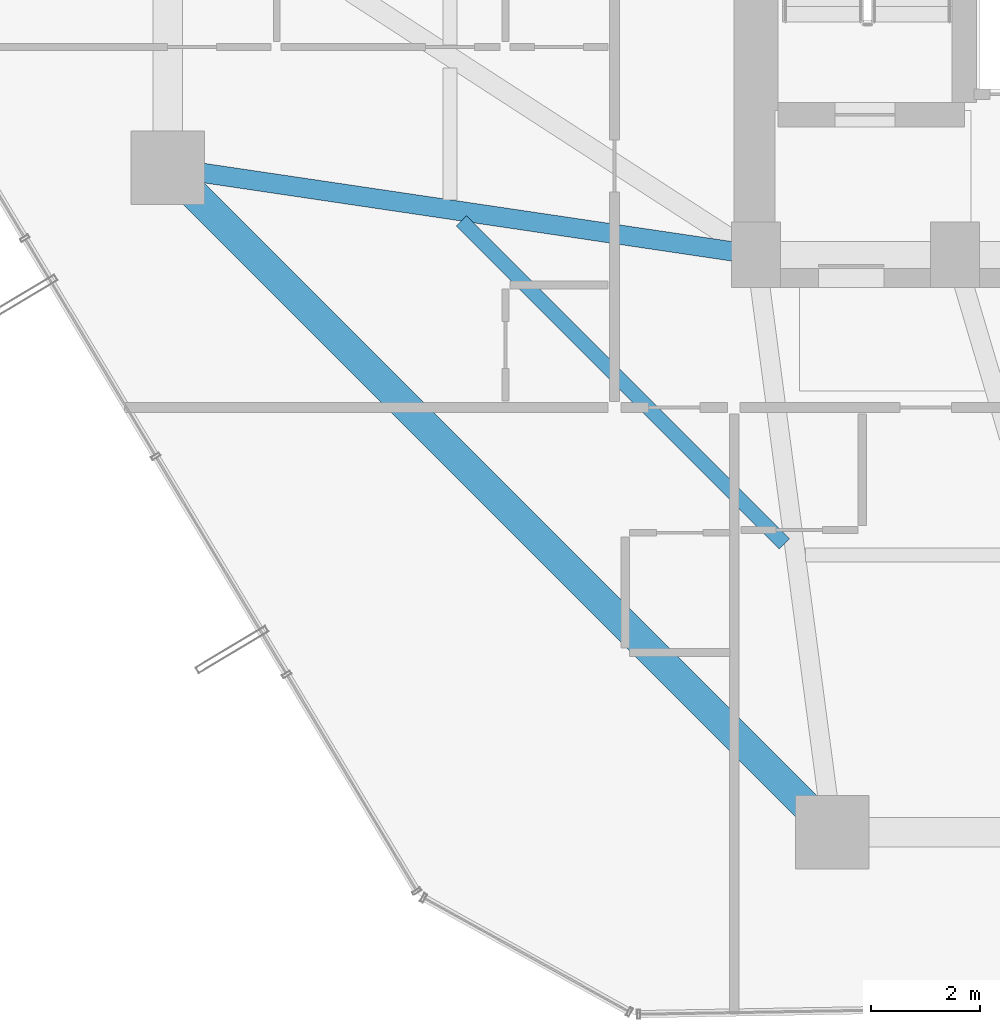
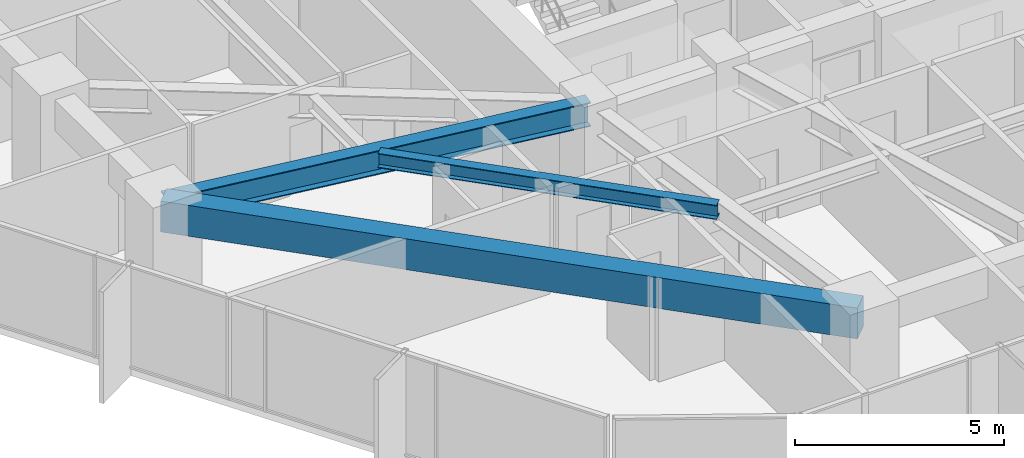
# One storey, part 5 of 39: 3 beams.
"""IFC4 building model written with IfcOpenShell, lengths in metres."""

from ifc_helpers import new_model, si_unit, direction, frame, origin, origin_2d, place, context, subcontext, project, spatial, rectangle, i_section, extrude, material, material_profile, profile_set, type_object, element, save


model = new_model("IFC4")

# Units and contexts
model_context = context("Model", 3, precision=1e-05, world=origin(), true_north=direction((0.0, 1.0)))
body_context = subcontext(model_context, "Body", "Model", "MODEL_VIEW")
ifc_project = project(units=[si_unit("LENGTHUNIT", "METRE"), si_unit("AREAUNIT", "SQUARE_METRE"), si_unit("VOLUMEUNIT", "CUBIC_METRE"), si_unit("PLANEANGLEUNIT", "RADIAN"), si_unit("MASSUNIT", "GRAM", prefix="KILO")], contexts=[model_context])

# Site, building, storey
site_placement = place(None, origin())
site = spatial("IfcSite", under=ifc_project, at=site_placement, CompositionType="ELEMENT")
building_placement = place(site_placement, origin())
building = spatial("IfcBuilding", under=site, at=building_placement, Name="Veraguas Prism Commons", CompositionType="ELEMENT")
storey_placement = place(building_placement, frame((0.0, 0.0, 27.300048828125)))
storey = spatial("IfcBuildingStorey", under=building, at=storey_placement, Name="L06", CompositionType="ELEMENT", Elevation=27.300048828125)

# Beams
ifc_material_1 = material(Name="Steel ASTM A992 Grade 50", Category="steel")
ifc_material_profile_1 = material_profile(ifc_material_1, i_section(OverallWidth=0.260986328125, OverallDepth=0.419921875, WebThickness=0.01171875, FlangeThickness=0.019287109375, at=origin_2d()), Name="W410X114")
ifc_profile_set_1 = profile_set([ifc_material_profile_1], Name="Steel ASTM A992 Grade 50")
beam_type_1 = type_object("IfcBeamType", Name="Lower Floor Joist W410x114", PredefinedType="JOIST", material=ifc_profile_set_1)
beam_1_placement = place(storey_placement, frame((11.79296875, 17.623046875, 2.7900390625), z_axis=(0.707092226423, -0.70712133565, 0.0), x_axis=(0.70712133565, 0.707092226423, 0.0)))
element("IfcBeam", 1, at=beam_1_placement, inside=storey, type_object=beam_type_1, Name="Composite Floor Joist L06-JS09", PredefinedType="JOIST", context=body_context, shape_type="SweptSolid", body=[
    extrude(i_section(OverallWidth=0.260986328125, OverallDepth=0.419921875, WebThickness=0.01171875, FlangeThickness=0.019287109375, at=origin_2d()), origin(), (0.0, 0.0, 1.0), 8.386962890625),
])
ifc_material_2 = material(Name="Concrete C50/60", Category="concrete")
ifc_material_profile_2 = material_profile(ifc_material_2, rectangle(XDim=0.550048828125, YDim=0.89990234375, at=origin_2d()), Name="RC550X900")
ifc_profile_set_2 = profile_set([ifc_material_profile_2], Name="Concrete C50/60")
beam_type_2 = type_object("IfcBeamType", Name="Perimeter Spandrel Lower RC 550x900", PredefinedType="SPANDREL", material=ifc_profile_set_2)
beam_2_placement = place(storey_placement, frame((6.39990234375, 18.60009765625, 2.550048828125), z_axis=(0.707106781187, -0.707106781187, 0.0), x_axis=(0.707106781187, 0.707106781187, 0.0)))
element("IfcBeam", 2, at=beam_2_placement, inside=storey, type_object=beam_type_2, Name="Perimeter Spandrel Beam L06-SP09", PredefinedType="SPANDREL", context=body_context, shape_type="SweptSolid", body=[
    extrude(rectangle(XDim=0.550048828125, YDim=0.89990234375, at=origin_2d()), origin(), (0.0, 0.0, 1.0), 17.253662109375),
])
ifc_material_profile_3 = material_profile(ifc_material_1, i_section(OverallWidth=0.35595703125, OverallDepth=0.700927734375, WebThickness=0.016845703125, FlangeThickness=0.02734375, at=origin_2d()), Name="W690X240")
ifc_profile_set_3 = profile_set([ifc_material_profile_3], Name="Steel ASTM A992 Grade 50")
beam_type_3 = type_object("IfcBeamType", Name="Zone 1 Radial Girder W690x240", PredefinedType="BEAM", material=ifc_profile_set_3)
beam_3_placement = place(storey_placement, frame((6.39990234375, 18.60009765625, 2.6494140625), z_axis=(0.989202261707, -0.146556765224, 0.0), x_axis=(0.146556765224, 0.989202261707, 0.0)))
element("IfcBeam", 3, at=beam_3_placement, inside=storey, type_object=beam_type_3, Name="Radial Floor Girder L06-RD09", PredefinedType="BEAM", context=body_context, shape_type="SweptSolid", body=[
    extrude(i_section(OverallWidth=0.35595703125, OverallDepth=0.700927734375, WebThickness=0.016845703125, FlangeThickness=0.02734375, at=origin_2d()), origin(), (0.0, 0.0, 1.0), 10.91796875),
])

save(model, "model.ifc")
